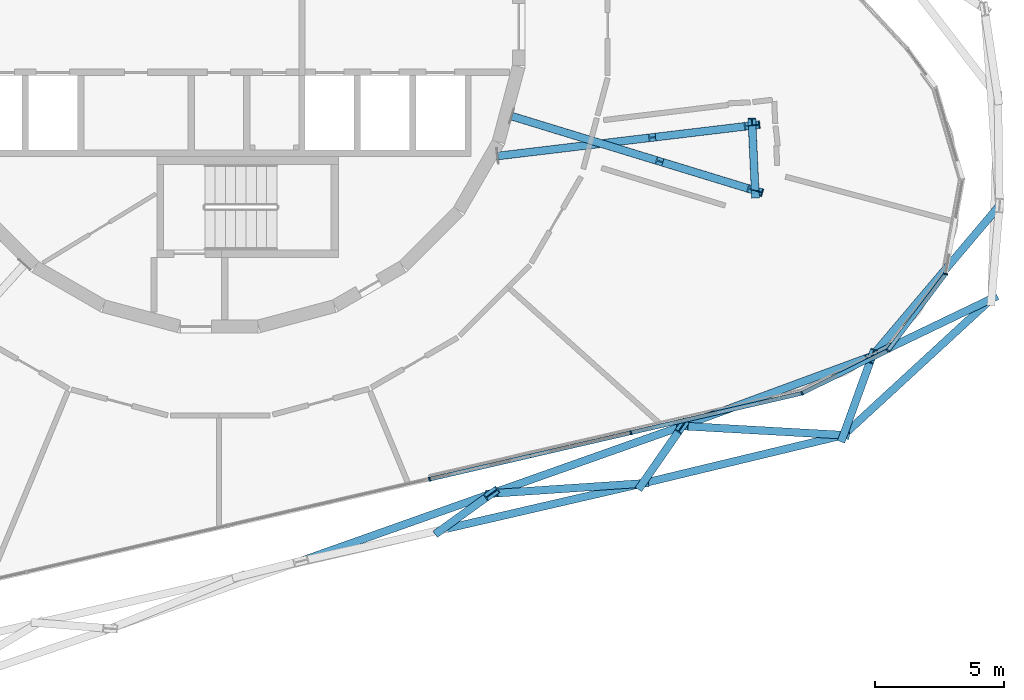
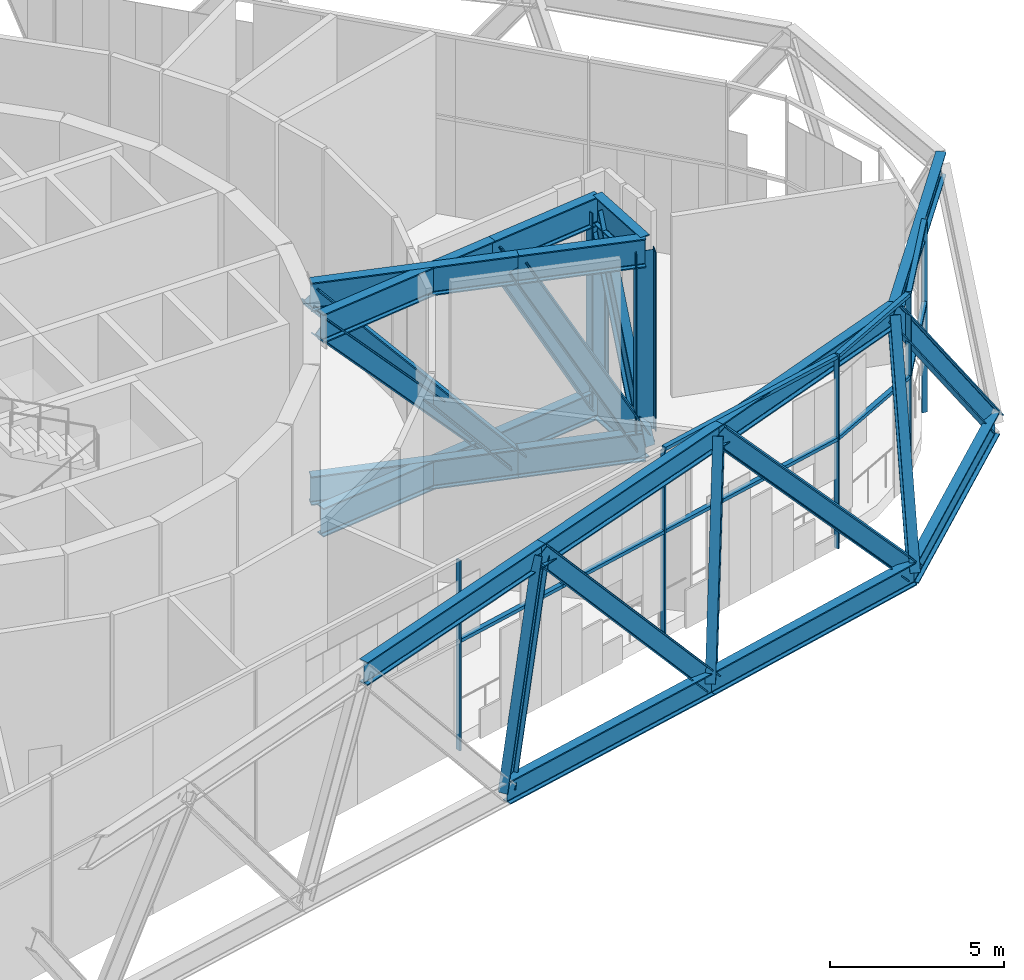
# One storey, part 5 of 25: 43 members, 2 elements without a shape of their own.
"""IFC4 building model written with IfcOpenShell, lengths in metres."""

from ifc_helpers import new_model, si_unit, direction, frame, origin, origin_2d, place, context, subcontext, project, spatial, rectangle, i_section, extrude, material, layer, layer_set, material_profile, profile_set, type_object, element, aggregate, save


model = new_model("IFC4")

# Units and contexts
model_context = context("Model", 3, precision=1e-05, world=origin(), true_north=direction((0.0, 1.0)))
body_context = subcontext(model_context, "Body", "Model", "MODEL_VIEW")
ifc_project = project(units=[si_unit("LENGTHUNIT", "METRE"), si_unit("AREAUNIT", "SQUARE_METRE"), si_unit("VOLUMEUNIT", "CUBIC_METRE"), si_unit("PLANEANGLEUNIT", "RADIAN"), si_unit("MASSUNIT", "GRAM", prefix="KILO")], contexts=[model_context])

# Site, building, storey
site_placement = place(None, origin())
site = spatial("IfcSite", under=ifc_project, at=site_placement, CompositionType="ELEMENT")
building_placement = place(site_placement, origin())
building = spatial("IfcBuilding", under=site, at=building_placement, Name="Spindle Arch Residences", CompositionType="ELEMENT")
storey_placement = place(building_placement, frame((0.0, 0.0, 144.89990234375)))
storey = spatial("IfcBuildingStorey", under=building, at=storey_placement, Name="L36", CompositionType="ELEMENT", Elevation=144.89990234375)

# Members
ifc_material_1 = material(Name="Steel S460ML, intumescent coating R 240", Category="steel")
ifc_material_profile_1 = material_profile(ifc_material_1, i_section(OverallWidth=0.302978515625, OverallDepth=0.81396484375, WebThickness=0.02099609375, FlangeThickness=0.0400390625, FilletRadius=0.030029296875, at=origin_2d()), Name="HEM 800")
ifc_profile_set_1 = profile_set([ifc_material_profile_1], Name="Steel S460ML, intumescent coating R 240")
member_type_1 = type_object("IfcMemberType", Name="Belt truss chord HEM 800", PredefinedType="CHORD", material=ifc_profile_set_1)
member_1_placement = place(storey_placement, frame((8.633544921875, -19.5498046875, -0.85693359375), z_axis=(0.974371205655, 0.224946112636, 0.0), x_axis=(-0.224946112636, 0.974371205655, 0.0)))
element("IfcMember", 1, at=member_1_placement, inside=storey, type_object=member_type_1, Name="Belt truss bottom chord L36.1", PredefinedType="CHORD", context=body_context, shape_type="SweptSolid", body=[
    extrude(i_section(OverallWidth=0.302978515625, OverallDepth=0.81396484375, WebThickness=0.02099609375, FlangeThickness=0.0400390625, FilletRadius=0.030029296875, at=origin_2d()), origin(), (0.0, 0.0, 1.0), 8.029296875),
])
member_2_placement = place(storey_placement, frame((16.45703125, -17.74365234375, -0.85693359375), z_axis=(0.972303305299, 0.233722661513, 0.0), x_axis=(-0.233722661513, 0.972303305299, 0.0)))
element("IfcMember", 2, at=member_2_placement, inside=storey, type_object=member_type_1, Name="Belt truss bottom chord L36.2", PredefinedType="CHORD", context=body_context, shape_type="SweptSolid", body=[
    extrude(i_section(OverallWidth=0.302978515625, OverallDepth=0.81396484375, WebThickness=0.02099609375, FlangeThickness=0.0400390625, FilletRadius=0.030029296875, at=origin_2d()), origin(), (0.0, 0.0, 1.0), 8.026611328125),
])
member_3_placement = place(storey_placement, frame((24.26123046875, -15.86767578125, -0.85693359375), z_axis=(0.735681430146, 0.677327714875, 0.0), x_axis=(-0.677327714875, 0.735681430146, 0.0)))
element("IfcMember", 3, at=member_3_placement, inside=storey, type_object=member_type_1, Name="Belt truss bottom chord L36.3", PredefinedType="CHORD", context=body_context, shape_type="SweptSolid", body=[
    extrude(i_section(OverallWidth=0.302978515625, OverallDepth=0.81396484375, WebThickness=0.02099609375, FlangeThickness=0.0400390625, FilletRadius=0.030029296875, at=origin_2d()), origin(), (0.0, 0.0, 1.0), 7.819580078125),
])
member_4_placement = place(storey_placement, frame((10.592041015625, -18.1376953125, 5.943115234375), z_axis=(0.942639442898, 0.333812643101, 0.0), x_axis=(-0.333812643101, 0.942639442898, 0.0)))
element("IfcMember", 4, at=member_4_placement, inside=storey, type_object=member_type_1, Name="Belt truss top chord L36.1", PredefinedType="CHORD", context=body_context, shape_type="SweptSolid", body=[
    extrude(i_section(OverallWidth=0.302978515625, OverallDepth=0.81396484375, WebThickness=0.02099609375, FlangeThickness=0.0400390625, FilletRadius=0.030029296875, at=origin_2d()), origin(), (0.0, 0.0, 1.0), 7.860107421875),
])
member_5_placement = place(storey_placement, frame((18.001220703125, -15.513916015625, 5.943115234375), z_axis=(0.93840570845, 0.345535419818, 0.0), x_axis=(-0.345535419818, 0.93840570845, 0.0)))
element("IfcMember", 5, at=member_5_placement, inside=storey, type_object=member_type_1, Name="Belt truss top chord L36.2", PredefinedType="CHORD", context=body_context, shape_type="SweptSolid", body=[
    extrude(i_section(OverallWidth=0.302978515625, OverallDepth=0.81396484375, WebThickness=0.02099609375, FlangeThickness=0.0400390625, FilletRadius=0.030029296875, at=origin_2d()), origin(), (0.0, 0.0, 1.0), 7.856201171875),
])
member_6_placement = place(storey_placement, frame((25.37353515625, -12.79931640625, 5.943115234375), z_axis=(0.645810841588, 0.763497450479, 0.0), x_axis=(-0.763497450479, 0.645810841588, 0.0)))
element("IfcMember", 6, at=member_6_placement, inside=storey, type_object=member_type_1, Name="Belt truss top chord L36.3", PredefinedType="CHORD", context=body_context, shape_type="SweptSolid", body=[
    extrude(i_section(OverallWidth=0.302978515625, OverallDepth=0.81396484375, WebThickness=0.02099609375, FlangeThickness=0.0400390625, FilletRadius=0.030029296875, at=origin_2d()), origin(), (0.0, 0.0, 1.0), 7.6630859375),
])
member_7_placement = place(storey_placement, frame((3.182861328125, -20.76123046875, 5.943115234375), z_axis=(0.942649216405, 0.33378504282, 0.0), x_axis=(-0.33378504282, 0.942649216405, 0.0)))
element("IfcMember", 7, at=member_7_placement, inside=storey, type_object=member_type_1, Name="Belt truss top chord L36.22", PredefinedType="CHORD", context=body_context, shape_type="SweptSolid", body=[
    extrude(i_section(OverallWidth=0.302978515625, OverallDepth=0.81396484375, WebThickness=0.02099609375, FlangeThickness=0.0400390625, FilletRadius=0.030029296875, at=origin_2d()), origin(), (0.0, 0.0, 1.0), 7.85986328125),
])
ifc_material_2 = material(Name="Steel S460ML, intumescent coating R 240", Category="steel")
ifc_material_profile_2 = material_profile(ifc_material_2, i_section(OverallWidth=0.304931640625, OverallDepth=0.6201171875, WebThickness=0.02099609375, FlangeThickness=0.0400390625, FilletRadius=0.027099609375, at=origin_2d()), Name="HEM 600")
ifc_profile_set_2 = profile_set([ifc_material_profile_2], Name="Steel S460ML, intumescent coating R 240")
member_type_2 = type_object("IfcMemberType", Name="Belt truss diagonal HEM 600", PredefinedType="BRACE", material=ifc_profile_set_2)
member_8_placement = place(storey_placement, frame((8.633544921875, -19.5498046875, -0.85693359375), z_axis=(0.27141081744, 0.195691868371, 0.942359199472), x_axis=(-0.584847993668, 0.811142912379, 0.0)))
element("IfcMember", 8, at=member_8_placement, inside=storey, type_object=member_type_2, Name="Belt truss diagonal L36.1.1", PredefinedType="BRACE", context=body_context, shape_type="SweptSolid", body=[
    extrude(i_section(OverallWidth=0.304931640625, OverallDepth=0.6201171875, WebThickness=0.02099609375, FlangeThickness=0.0400390625, FilletRadius=0.027099609375, at=origin_2d()), origin(), (0.0, 0.0, 1.0), 7.216064453125),
])
member_9_placement = place(storey_placement, frame((16.45703125, -17.74365234375, -0.85693359375), z_axis=(-0.652495647532, -0.043838320573, 0.756523384702), x_axis=(0.067034490416, -0.997750658779, 0.0)))
element("IfcMember", 9, at=member_9_placement, inside=storey, type_object=member_type_2, Name="Belt truss diagonal L36.1.2", PredefinedType="BRACE", context=body_context, shape_type="SweptSolid", body=[
    extrude(i_section(OverallWidth=0.304931640625, OverallDepth=0.6201171875, WebThickness=0.02099609375, FlangeThickness=0.0400390625, FilletRadius=0.027099609375, at=origin_2d()), origin(), (0.0, 0.0, 1.0), 8.988525390625),
])
member_10_placement = place(storey_placement, frame((16.45703125, -17.74365234375, -0.85693359375), z_axis=(0.210926287586, 0.304567554866, 0.928842670062), x_axis=(-0.82210144669, 0.569341032554, 0.0)))
element("IfcMember", 10, at=member_10_placement, inside=storey, type_object=member_type_2, Name="Belt truss diagonal L36.2.2", PredefinedType="BRACE", context=body_context, shape_type="SweptSolid", body=[
    extrude(i_section(OverallWidth=0.304931640625, OverallDepth=0.6201171875, WebThickness=0.02099609375, FlangeThickness=0.0400390625, FilletRadius=0.027099609375, at=origin_2d()), origin(), (0.0, 0.0, 1.0), 7.321044921875),
])
member_11_placement = place(storey_placement, frame((24.26123046875, -15.86767578125, -0.85693359375), z_axis=(-0.676793280354, 0.038246303312, 0.735178941449), x_axis=(-0.056421038044, -0.998407064511, 0.0)))
element("IfcMember", 11, at=member_11_placement, inside=storey, type_object=member_type_2, Name="Belt truss diagonal L36.2.3", PredefinedType="BRACE", context=body_context, shape_type="SweptSolid", body=[
    extrude(i_section(OverallWidth=0.304931640625, OverallDepth=0.6201171875, WebThickness=0.02099609375, FlangeThickness=0.0400390625, FilletRadius=0.027099609375, at=origin_2d()), origin(), (0.0, 0.0, 1.0), 9.24951171875),
])
member_12_placement = place(storey_placement, frame((24.26123046875, -15.86767578125, -0.85693359375), z_axis=(0.147467201133, 0.406797143074, 0.901537303153), x_axis=(-0.940133668444, 0.340805935187, 0.0)))
element("IfcMember", 12, at=member_12_placement, inside=storey, type_object=member_type_2, Name="Belt truss diagonal L36.3.3", PredefinedType="BRACE", context=body_context, shape_type="SweptSolid", body=[
    extrude(i_section(OverallWidth=0.304931640625, OverallDepth=0.6201171875, WebThickness=0.02099609375, FlangeThickness=0.0400390625, FilletRadius=0.027099609375, at=origin_2d()), origin(), (0.0, 0.0, 1.0), 7.542724609375),
])
member_13_placement = place(storey_placement, frame((30.013916015625, -10.5712890625, -0.85693359375), z_axis=(-0.544093119941, -0.261240270036, 0.797318128569), x_axis=(0.432832829569, -0.901474204649, 0.0)))
element("IfcMember", 13, at=member_13_placement, inside=storey, type_object=member_type_2, Name="Belt truss diagonal L36.3.4", PredefinedType="BRACE", context=body_context, shape_type="SweptSolid", body=[
    extrude(i_section(OverallWidth=0.304931640625, OverallDepth=0.6201171875, WebThickness=0.02099609375, FlangeThickness=0.0400390625, FilletRadius=0.027099609375, at=origin_2d()), origin(), (0.0, 0.0, 1.0), 8.528564453125),
])

# Curtain wall, members
ifc_material_3 = material(Name="Aluminium bronze unitised frame with tinted glass", Category="aluminium")
ifc_layer = layer(ifc_material_3, 0.159912109375)
ifc_layer_set = layer_set([ifc_layer], Name="CW-E double-height winter garden wall")
curtain_wall_type = type_object("IfcCurtainWallType", Name="CW-E double-height winter garden wall", PredefinedType="NOTDEFINED", material=ifc_layer_set)
curtain_wall_1_placement = place(storey_placement, origin())
curtain_wall_1 = element("IfcCurtainWall", 14, at=curtain_wall_1_placement, inside=storey, type_object=curtain_wall_type, Name="CW-E L36 run 1", PredefinedType="NOTDEFINED")
ifc_material_4 = material(Name="Aluminium bronze anodised mullion", Category="aluminium")
ifc_material_profile_3 = material_profile(ifc_material_4, rectangle(XDim=0.159912109375, YDim=0.06005859375, at=origin_2d()), Name="MU 60x160")
ifc_profile_set_3 = profile_set([ifc_material_profile_3], Name="Aluminium bronze anodised mullion")
member_type_3 = type_object("IfcMemberType", Name="Bronze mullion 60x160", PredefinedType="MULLION", material=ifc_profile_set_3)
member_14_placement = place(storey_placement, frame((16.002685546875, -15.775390625, -0.449951171875), z_axis=(0.0, 0.0, 1.0), x_axis=(-0.224951054344, 0.974370064785, 0.0)))
member_14 = element("IfcMember", 15, at=member_14_placement, type_object=member_type_3, Name="CW-E mullion 00", PredefinedType="MULLION", context=body_context, shape_type="SweptSolid", body=[
    extrude(rectangle(XDim=0.159912109375, YDim=0.06005859375, at=origin_2d()), origin(), (0.0, 0.0, 1.0), 6.679931640625),
])
member_15_placement = place(storey_placement, frame((22.647705078125, -14.2412109375, -0.449951171875), z_axis=(0.0, 0.0, 1.0), x_axis=(-0.443592675931, 0.896228507614, 0.0)))
member_15 = element("IfcMember", 16, at=member_15_placement, type_object=member_type_3, Name="CW-E mullion 01", PredefinedType="MULLION", context=body_context, shape_type="SweptSolid", body=[
    extrude(rectangle(XDim=0.159912109375, YDim=0.06005859375, at=origin_2d()), origin(), (0.0, 0.0, 1.0), 6.679931640625),
])
member_16_placement = place(storey_placement, frame((25.987548828125, -12.588134765625, -0.449951171875), z_axis=(0.0, 0.0, 1.0), x_axis=(-0.798635511056, 0.601815021814, 0.0)))
member_16 = element("IfcMember", 17, at=member_16_placement, type_object=member_type_3, Name="CW-E mullion 02", PredefinedType="MULLION", context=body_context, shape_type="SweptSolid", body=[
    extrude(rectangle(XDim=0.159912109375, YDim=0.06005859375, at=origin_2d()), origin(), (0.0, 0.0, 1.0), 6.679931640625),
])
member_17_placement = place(storey_placement, frame((28.23046875, -9.61181640625, -0.449951171875), z_axis=(0.0, 0.0, 1.0), x_axis=(-0.983780848179, 0.17937458782, 0.0)))
member_17 = element("IfcMember", 18, at=member_17_placement, type_object=member_type_3, Name="CW-E mullion 03", PredefinedType="MULLION", context=body_context, shape_type="SweptSolid", body=[
    extrude(rectangle(XDim=0.159912109375, YDim=0.06005859375, at=origin_2d()), origin(), (0.0, 0.0, 1.0), 6.679931640625),
])

# Curtain wall, member
curtain_wall_2_placement = place(storey_placement, origin())
curtain_wall_2 = element("IfcCurtainWall", 19, at=curtain_wall_2_placement, inside=storey, type_object=curtain_wall_type, Name="CW-E L36 run 6", PredefinedType="NOTDEFINED")
member_18_placement = place(storey_placement, frame((8.17919921875, -17.58154296875, -0.449951171875), z_axis=(0.0, 0.0, 1.0), x_axis=(-0.224951054344, 0.974370064785, 0.0)))
member_18 = element("IfcMember", 20, at=member_18_placement, type_object=member_type_3, Name="CW-E mullion 00", PredefinedType="MULLION", context=body_context, shape_type="SweptSolid", body=[
    extrude(rectangle(XDim=0.159912109375, YDim=0.06005859375, at=origin_2d()), origin(), (0.0, 0.0, 1.0), 6.679931640625),
])

# Member
ifc_material_5 = material(Name="Aluminium bronze anodised transom", Category="aluminium")
ifc_material_profile_4 = material_profile(ifc_material_5, rectangle(XDim=0.159912109375, YDim=0.1201171875, at=origin_2d()), Name="TR 120x160")
ifc_profile_set_4 = profile_set([ifc_material_profile_4], Name="Aluminium bronze anodised transom")
member_type_4 = type_object("IfcMemberType", Name="Bronze transom 120x160", PredefinedType="USERDEFINED", material=ifc_profile_set_4)
member_19_placement = place(storey_placement, frame((16.03173828125, -15.7685546875, 6.2900390625), z_axis=(0.974374758263, 0.224930723691, 0.0), x_axis=(-0.224930723691, 0.974374758263, 0.0)))
member_19 = element("IfcMember", 21, at=member_19_placement, type_object=member_type_4, Name="CW-E transom 00", ObjectType="TRANSOM", PredefinedType="USERDEFINED", context=body_context, shape_type="SweptSolid", body=[
    extrude(rectangle(XDim=0.159912109375, YDim=0.1201171875, at=origin_2d()), origin(), (0.0, 0.0, 1.0), 6.760009765625),
])

member_20_placement = place(storey_placement, frame((16.03173828125, -15.7685546875, 3.400146484375), z_axis=(0.974374758263, 0.224930723691, 0.0), x_axis=(-0.224930723691, 0.974374758263, 0.0)))
member_20 = element("IfcMember", 22, at=member_20_placement, type_object=member_type_4, Name="CW-E transom 00m", ObjectType="TRANSOM", PredefinedType="USERDEFINED", context=body_context, shape_type="SweptSolid", body=[
    extrude(rectangle(XDim=0.159912109375, YDim=0.1201171875, at=origin_2d()), origin(), (0.0, 0.0, 1.0), 6.760009765625),
])

member_21_placement = place(storey_placement, frame((22.674560546875, -14.22802734375, 6.2900390625), z_axis=(0.896204490037, 0.443641197408, 0.0), x_axis=(-0.443641197408, 0.896204490037, 0.0)))
member_21 = element("IfcMember", 23, at=member_21_placement, type_object=member_type_4, Name="CW-E transom 01", ObjectType="TRANSOM", PredefinedType="USERDEFINED", context=body_context, shape_type="SweptSolid", body=[
    extrude(rectangle(XDim=0.159912109375, YDim=0.1201171875, at=origin_2d()), origin(), (0.0, 0.0, 1.0), 3.666748046875),
])

member_22_placement = place(storey_placement, frame((22.674560546875, -14.22802734375, 3.400146484375), z_axis=(0.896204490037, 0.443641197408, 0.0), x_axis=(-0.443641197408, 0.896204490037, 0.0)))
member_22 = element("IfcMember", 24, at=member_22_placement, type_object=member_type_4, Name="CW-E transom 01m", ObjectType="TRANSOM", PredefinedType="USERDEFINED", context=body_context, shape_type="SweptSolid", body=[
    extrude(rectangle(XDim=0.159912109375, YDim=0.1201171875, at=origin_2d()), origin(), (0.0, 0.0, 1.0), 3.666748046875),
])

member_23_placement = place(storey_placement, frame((26.005615234375, -12.564208984375, 6.2900390625), z_axis=(0.601820083797, 0.798631696553, 0.0), x_axis=(-0.798631696553, 0.601820083797, 0.0)))
member_23 = element("IfcMember", 25, at=member_23_placement, type_object=member_type_4, Name="CW-E transom 02", ObjectType="TRANSOM", PredefinedType="USERDEFINED", context=body_context, shape_type="SweptSolid", body=[
    extrude(rectangle(XDim=0.159912109375, YDim=0.1201171875, at=origin_2d()), origin(), (0.0, 0.0, 1.0), 3.666748046875),
])

member_24_placement = place(storey_placement, frame((26.005615234375, -12.564208984375, 3.400146484375), z_axis=(0.601820083797, 0.798631696553, 0.0), x_axis=(-0.798631696553, 0.601820083797, 0.0)))
member_24 = element("IfcMember", 26, at=member_24_placement, type_object=member_type_4, Name="CW-E transom 02m", ObjectType="TRANSOM", PredefinedType="USERDEFINED", context=body_context, shape_type="SweptSolid", body=[
    extrude(rectangle(XDim=0.159912109375, YDim=0.1201171875, at=origin_2d()), origin(), (0.0, 0.0, 1.0), 3.666748046875),
])

aggregate(curtain_wall_1, [member_14, member_19, member_20, member_15, member_21, member_22, member_16, member_23, member_24, member_17])

member_25_placement = place(storey_placement, frame((8.20849609375, -17.574951171875, 3.400146484375), z_axis=(0.974360205813, 0.224993753977, 0.0), x_axis=(-0.224993753977, 0.974360205813, 0.0)))
member_25 = element("IfcMember", 27, at=member_25_placement, type_object=member_type_4, Name="CW-E transom 00Am", ObjectType="TRANSOM", PredefinedType="USERDEFINED", context=body_context, shape_type="SweptSolid", body=[
    extrude(rectangle(XDim=0.159912109375, YDim=0.1201171875, at=origin_2d()), origin(), (0.0, 0.0, 1.0), 3.984375),
])

member_26_placement = place(storey_placement, frame((12.0908203125, -16.678466796875, 3.400146484375), z_axis=(0.974376736716, 0.224922153083, 0.0), x_axis=(-0.224922153083, 0.974376736716, 0.0)))
member_26 = element("IfcMember", 28, at=member_26_placement, type_object=member_type_4, Name="CW-E transom 00Bm", ObjectType="TRANSOM", PredefinedType="USERDEFINED", context=body_context, shape_type="SweptSolid", body=[
    extrude(rectangle(XDim=0.159912109375, YDim=0.1201171875, at=origin_2d()), origin(), (0.0, 0.0, 1.0), 3.984619140625),
])

aggregate(curtain_wall_2, [member_18, member_25, member_26])

# Members
ifc_material_6 = material(Name="Steel S460ML, intumescent coating R 240", Category="steel")
ifc_material_profile_5 = material_profile(ifc_material_6, i_section(OverallWidth=0.302001953125, OverallDepth=1.008056640625, WebThickness=0.02099609375, FlangeThickness=0.0400390625, FilletRadius=0.030029296875, at=origin_2d()), Name="HEM 1000")
ifc_profile_set_5 = profile_set([ifc_material_profile_5], Name="Steel S460ML, intumescent coating R 240")
member_type_5 = type_object("IfcMemberType", Name="Transfer truss chord HEM 1000", PredefinedType="CHORD", material=ifc_profile_set_5)
for number, where, z_axis, x_axis, name in (
    (29, (11.384521484375, -3.480712890625, -0.953857421875), (0.956311018709, -0.292351219419, 0.0), (0.292351219419, 0.956311018709, 0.0), "Transfer truss chord L36"),
    (30, (11.384521484375, -3.480712890625, 5.84619140625), (0.956311018709, -0.292351219419, 0.0), (0.292351219419, 0.956311018709, 0.0), "Transfer truss chord L36"),
):
    element("IfcMember", number, at=place(storey_placement, frame(where, z_axis=z_axis, x_axis=x_axis)), inside=storey, type_object=member_type_5, Name=name, PredefinedType="CHORD", context=body_context, shape_type="SweptSolid", body=[
        extrude(i_section(OverallWidth=0.302001953125, OverallDepth=1.008056640625, WebThickness=0.02099609375, FlangeThickness=0.0400390625, FilletRadius=0.030029296875, at=origin_2d()), origin(), (0.0, 0.0, 1.0), 6.123779296875),
    ])
for number, where, z_axis, x_axis, name in (
    (31, (17.24072265625, -5.27099609375, -0.953857421875), (0.956302073021, -0.292380480086, 0.0), (0.292380480086, 0.956302073021, 0.0), "Transfer truss chord L36"),
    (32, (17.24072265625, -5.27099609375, 5.84619140625), (0.956302073021, -0.292380480086, 0.0), (0.292380480086, 0.956302073021, 0.0), "Transfer truss chord L36"),
):
    element("IfcMember", number, at=place(storey_placement, frame(where, z_axis=z_axis, x_axis=x_axis)), inside=storey, type_object=member_type_5, Name=name, PredefinedType="CHORD", context=body_context, shape_type="SweptSolid", body=[
        extrude(i_section(OverallWidth=0.302001953125, OverallDepth=1.008056640625, WebThickness=0.02099609375, FlangeThickness=0.0400390625, FilletRadius=0.030029296875, at=origin_2d()), origin(), (0.0, 0.0, 1.0), 3.75341796875),
    ])
for number, where, z_axis, x_axis, name in (
    (33, (20.830078125, -6.368408203125, -0.953857421875), (-0.04618618095, 0.998932848939, 0.0), (-0.998932848939, -0.04618618095, 0.0), "Transfer truss chord L36"),
    (34, (20.830078125, -6.368408203125, 5.84619140625), (-0.04618618095, 0.998932848939, 0.0), (-0.998932848939, -0.04618618095, 0.0), "Transfer truss chord L36"),
):
    element("IfcMember", number, at=place(storey_placement, frame(where, z_axis=z_axis, x_axis=x_axis)), inside=storey, type_object=member_type_5, Name=name, PredefinedType="CHORD", context=body_context, shape_type="SweptSolid", body=[
        extrude(i_section(OverallWidth=0.302001953125, OverallDepth=1.008056640625, WebThickness=0.02099609375, FlangeThickness=0.0400390625, FilletRadius=0.030029296875, at=origin_2d()), origin(), (0.0, 0.0, 1.0), 2.531982421875),
    ])
for number, where, z_axis, x_axis, name in (
    (35, (10.837890625, -5.02294921875, -0.953857421875), (0.992887887498, 0.119053109407, 0.0), (-0.119053109407, 0.992887887498, 0.0), "Transfer truss chord L36"),
    (36, (10.837890625, -5.02294921875, 5.84619140625), (0.992887887498, 0.119053109407, 0.0), (-0.119053109407, 0.992887887498, 0.0), "Transfer truss chord L36"),
):
    element("IfcMember", number, at=place(storey_placement, frame(where, z_axis=z_axis, x_axis=x_axis)), inside=storey, type_object=member_type_5, Name=name, PredefinedType="CHORD", context=body_context, shape_type="SweptSolid", body=[
        extrude(i_section(OverallWidth=0.302001953125, OverallDepth=1.008056640625, WebThickness=0.02099609375, FlangeThickness=0.0400390625, FilletRadius=0.030029296875, at=origin_2d()), origin(), (0.0, 0.0, 1.0), 6.16650390625),
    ])
for number, where, z_axis, x_axis, name in (
    (37, (16.96044921875, -4.288818359375, -0.953857421875), (0.99289608188, 0.118984749387, 0.0), (-0.118984749387, 0.99289608188, 0.0), "Transfer truss chord L36"),
    (38, (16.96044921875, -4.288818359375, 5.84619140625), (0.99289608188, 0.118984749387, 0.0), (-0.118984749387, 0.99289608188, 0.0), "Transfer truss chord L36"),
):
    element("IfcMember", number, at=place(storey_placement, frame(where, z_axis=z_axis, x_axis=x_axis)), inside=storey, type_object=member_type_5, Name=name, PredefinedType="CHORD", context=body_context, shape_type="SweptSolid", body=[
        extrude(i_section(OverallWidth=0.302001953125, OverallDepth=1.008056640625, WebThickness=0.02099609375, FlangeThickness=0.0400390625, FilletRadius=0.030029296875, at=origin_2d()), origin(), (0.0, 0.0, 1.0), 3.779541015625),
    ])
ifc_material_7 = material(Name="Steel S460ML, intumescent coating R 240", Category="steel")
ifc_material_profile_6 = material_profile(ifc_material_7, i_section(OverallWidth=0.304931640625, OverallDepth=0.6201171875, WebThickness=0.02099609375, FlangeThickness=0.0400390625, FilletRadius=0.027099609375, at=origin_2d()), Name="HEM 600")
ifc_profile_set_6 = profile_set([ifc_material_profile_6], Name="Steel S460ML, intumescent coating R 240")
member_type_6 = type_object("IfcMemberType", Name="Transfer truss diagonal HEM 600", PredefinedType="BRACE", material=ifc_profile_set_6)
member_27_placement = place(storey_placement, frame((17.24072265625, -5.27099609375, -0.953857421875), z_axis=(-0.639951781553, 0.195637904454, 0.743093215975), x_axis=(-0.292351219419, -0.956311018709, 0.0)))
element("IfcMember", 39, at=member_27_placement, inside=storey, type_object=member_type_6, Name="Transfer truss diagonal L36", PredefinedType="BRACE", context=body_context, shape_type="SweptSolid", body=[
    extrude(i_section(OverallWidth=0.304931640625, OverallDepth=0.6201171875, WebThickness=0.02099609375, FlangeThickness=0.0400390625, FilletRadius=0.027099609375, at=origin_2d()), origin(), (0.0, 0.0, 1.0), 9.151123046875),
])
member_28_placement = place(storey_placement, frame((20.830078125, -6.368408203125, -0.953857421875), z_axis=(-0.462120661683, 0.141289101773, 0.87548951094), x_axis=(-0.292380480086, -0.956302073021, 0.0)))
element("IfcMember", 40, at=member_28_placement, inside=storey, type_object=member_type_6, Name="Transfer truss diagonal L36", PredefinedType="BRACE", context=body_context, shape_type="SweptSolid", body=[
    extrude(i_section(OverallWidth=0.304931640625, OverallDepth=0.6201171875, WebThickness=0.02099609375, FlangeThickness=0.0400390625, FilletRadius=0.027099609375, at=origin_2d()), origin(), (0.0, 0.0, 1.0), 7.76708984375),
])
member_29_placement = place(storey_placement, frame((20.830078125, -6.368408203125, -0.953857421875), z_axis=(-0.016116451983, 0.348572948935, 0.937143083657), x_axis=(-0.998932848939, -0.04618618095, 0.0)))
element("IfcMember", 41, at=member_29_placement, inside=storey, type_object=member_type_6, Name="Transfer truss diagonal L36", PredefinedType="BRACE", context=body_context, shape_type="SweptSolid", body=[
    extrude(i_section(OverallWidth=0.304931640625, OverallDepth=0.6201171875, WebThickness=0.02099609375, FlangeThickness=0.0400390625, FilletRadius=0.027099609375, at=origin_2d()), origin(), (0.0, 0.0, 1.0), 7.256103515625),
])
member_30_placement = place(storey_placement, frame((16.96044921875, -4.288818359375, -0.953857421875), z_axis=(-0.666973335485, -0.079974033807, 0.740777107954), x_axis=(0.119053109407, -0.992887887498, 0.0)))
element("IfcMember", 42, at=member_30_placement, inside=storey, type_object=member_type_6, Name="Transfer truss diagonal L36", PredefinedType="BRACE", context=body_context, shape_type="SweptSolid", body=[
    extrude(i_section(OverallWidth=0.304931640625, OverallDepth=0.6201171875, WebThickness=0.02099609375, FlangeThickness=0.0400390625, FilletRadius=0.027099609375, at=origin_2d()), origin(), (0.0, 0.0, 1.0), 9.1796875),
])
member_31_placement = place(storey_placement, frame((20.713134765625, -3.839111328125, -0.953857421875), z_axis=(-0.482361686395, -0.057804321537, 0.874062848947), x_axis=(0.118984749387, -0.99289608188, 0.0)))
element("IfcMember", 43, at=member_31_placement, inside=storey, type_object=member_type_6, Name="Transfer truss diagonal L36", PredefinedType="BRACE", context=body_context, shape_type="SweptSolid", body=[
    extrude(i_section(OverallWidth=0.304931640625, OverallDepth=0.6201171875, WebThickness=0.02099609375, FlangeThickness=0.0400390625, FilletRadius=0.027099609375, at=origin_2d()), origin(), (0.0, 0.0, 1.0), 7.77978515625),
])
ifc_material_8 = material(Name="Steel S460ML, intumescent coating R 240", Category="steel")
ifc_material_profile_7 = material_profile(ifc_material_8, i_section(OverallWidth=0.300048828125, OverallDepth=0.60009765625, WebThickness=0.015380859375, FlangeThickness=0.030029296875, FilletRadius=0.027099609375, at=origin_2d()), Name="HEB 600")
ifc_profile_set_7 = profile_set([ifc_material_profile_7], Name="Steel S460ML, intumescent coating R 240")
member_type_7 = type_object("IfcMemberType", Name="Transfer truss post HEB 600", PredefinedType="POST", material=ifc_profile_set_7)
member_32_placement = place(storey_placement, frame((20.830078125, -6.368408203125, -0.449951171875), z_axis=(0.0, 0.0, 1.0), x_axis=(-0.292372960311, -0.95630437209, 0.0)))
element("IfcMember", 44, at=member_32_placement, inside=storey, type_object=member_type_7, Name="Transfer truss post L36", PredefinedType="POST", context=body_context, shape_type="SweptSolid", body=[
    extrude(i_section(OverallWidth=0.300048828125, OverallDepth=0.60009765625, WebThickness=0.015380859375, FlangeThickness=0.030029296875, FilletRadius=0.027099609375, at=origin_2d()), origin(), (0.0, 0.0, 1.0), 6.296142578125),
])
member_33_placement = place(storey_placement, frame((20.713134765625, -3.839111328125, -0.953857421875), z_axis=(0.0, 0.0, 1.0), x_axis=(0.119038168159, -0.992889678928, 0.0)))
element("IfcMember", 45, at=member_33_placement, inside=storey, type_object=member_type_7, Name="Transfer truss post L36", PredefinedType="POST", context=body_context, shape_type="SweptSolid", body=[
    extrude(i_section(OverallWidth=0.300048828125, OverallDepth=0.60009765625, WebThickness=0.015380859375, FlangeThickness=0.030029296875, FilletRadius=0.027099609375, at=origin_2d()), origin(), (0.0, 0.0, 1.0), 6.800048828125),
])

save(model, "model.ifc")
